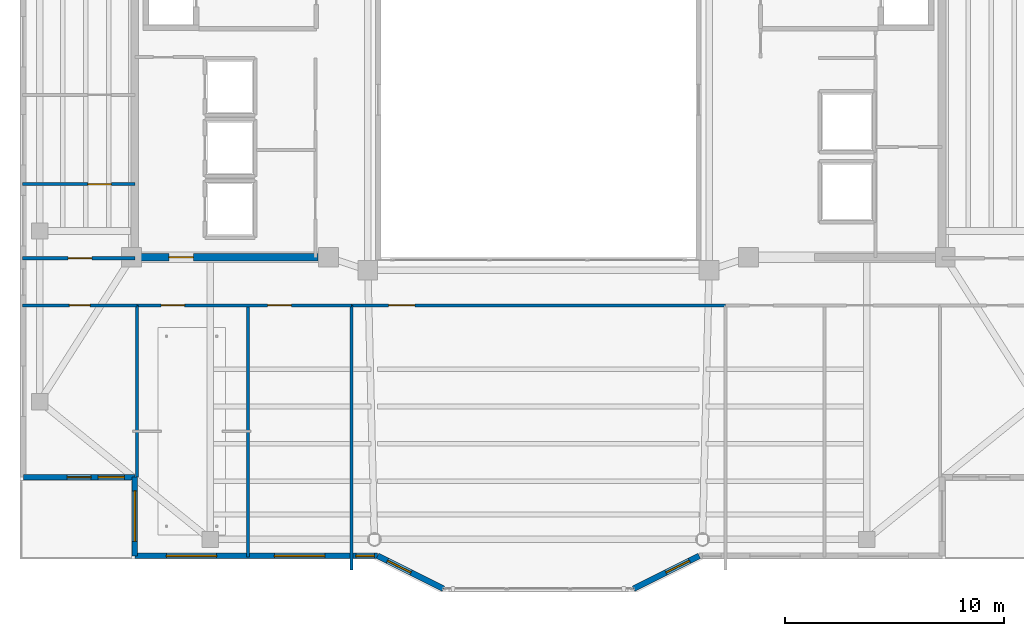
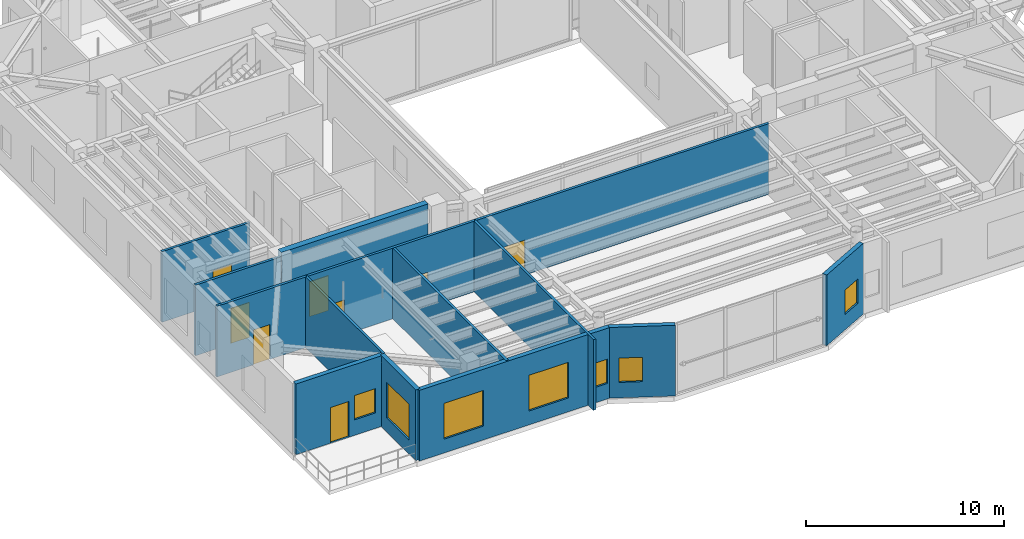
# One storey, part 11 of 23: 14 walls, 8 doors, 7 windows, 15 openings.
"""IFC4 building model written with IfcOpenShell, lengths in metres."""

from ifc_helpers import new_model, si_unit, direction, frame, frame_2d, origin, place, context, subcontext, project, spatial, rectangle, extrude, material, layer, layer_set, type_object, element, fill, save


model = new_model("IFC4")

# Units and contexts
model_context = context("Model", 3, precision=1e-05, world=origin(), true_north=direction((0.0, 1.0)))
body_context = subcontext(model_context, "Body", "Model", "MODEL_VIEW")
ifc_project = project(units=[si_unit("LENGTHUNIT", "METRE"), si_unit("AREAUNIT", "SQUARE_METRE"), si_unit("VOLUMEUNIT", "CUBIC_METRE"), si_unit("PLANEANGLEUNIT", "RADIAN"), si_unit("MASSUNIT", "GRAM", prefix="KILO")], contexts=[model_context])

# Site, building, storey
site_placement = place(None, origin())
site = spatial("IfcSite", under=ifc_project, at=site_placement, CompositionType="ELEMENT")
building_placement = place(site_placement, origin())
building = spatial("IfcBuilding", under=site, at=building_placement, Name="Tarnavaz Court Tower", CompositionType="ELEMENT")
storey_placement = place(building_placement, frame((0.0, 0.0, 227.10009765625)))
storey = spatial("IfcBuildingStorey", under=building, at=storey_placement, Name="L62", CompositionType="ELEMENT", Elevation=227.10009765625)

# Wall, opening, door
ifc_material_1 = material(Name="Concrete C50/60", Category="concrete")
ifc_layer_1 = layer(ifc_material_1, 0.35009765625)
ifc_layer_set_1 = layer_set([ifc_layer_1], Name="Concrete C50/60")
wall_type_1 = type_object("IfcWallType", Name="WL-CORE-350-C50", PredefinedType="SHEAR", material=ifc_layer_set_1)
wall_1_placement = place(storey_placement, frame((-18.625, -7.199951171875, 0.0), z_axis=(0.0, 0.0, 1.0), x_axis=(1.0, 0.0, 0.0)))
wall_1 = element("IfcWall", 1, at=wall_1_placement, inside=storey, type_object=wall_type_1, Name="L62 West Core South Shear Wall 046", PredefinedType="SHEAR", context=body_context, shape_type="SweptSolid", body=[
    extrude(rectangle(XDim=8.550048828125, YDim=0.35009765625, at=frame_2d((4.27490234375, 0.0))), origin(), (0.0, 0.0, 1.0), 4.64990234375),
])
opening_1_placement = place(wall_1_placement, frame((1.72509765625, 0.0, 0.0)))
opening_1 = element("IfcOpeningElement", 2, at=opening_1_placement, cuts=wall_1, Name="Opening D04", PredefinedType="OPENING", context=body_context, shape_type="SweptSolid", body=[
    extrude(rectangle(XDim=1.1201171875, YDim=2.14990234375, at=frame_2d((0.56005859375, 1.074951171875))), frame((0.0, 0.18505859375, 0.0), z_axis=(0.0, -1.0, 0.0), x_axis=(1.0, 0.0, 0.0)), (0.0, 0.0, 1.0), 0.3701171875),
])
ifc_material_2 = material(Name="Fire-Rated Hardwood Timber Core", Category="wood")
door_type_1 = type_object("IfcDoorType", Name="DR-FD60-1100", OperationType="NOTDEFINED", PredefinedType="DOOR", material=ifc_material_2)
door_1_placement = place(opening_1_placement, origin())
door_1 = element("IfcDoor", 3, at=door_1_placement, inside=storey, type_object=door_type_1, Name="L62 West High-Rise Lift Lobby Door", OperationType="SINGLE_SWING_LEFT", OverallHeight=2.14990234375, OverallWidth=1.1201171875, PredefinedType="DOOR", context=body_context, shape_type="SweptSolid", body=[
    extrude(rectangle(XDim=1.1201171875, YDim=2.14990234375, at=frame_2d((0.56005859375, 1.074951171875))), frame((0.0, 0.02490234375, 0.0), z_axis=(0.0, -1.0, 0.0), x_axis=(1.0, 0.0, 0.0)), (0.0, 0.0, 1.0), 0.050048828125),
])
fill(opening_1, door_1)

# Wall, openings, door, window
ifc_material_3 = material(Name="Precast Concrete C40/50", Category="concrete")
ifc_layer_2 = layer(ifc_material_3, 0.260009765625)
ifc_layer_set_2 = layer_set([ifc_layer_2], Name="Precast Concrete C40/50")
wall_type_2 = type_object("IfcWallType", Name="WL-EXT-260", PredefinedType="SOLIDWALL", material=ifc_layer_set_2)
wall_2_placement = place(storey_placement, frame((-18.449951171875, -17.25, 0.0), z_axis=(0.0, 0.0, 1.0), x_axis=(-1.0, 0.0, 0.0)))
wall_2 = element("IfcWall", 4, at=wall_2_placement, inside=storey, type_object=wall_type_2, Name="L62 Exterior Terracotta Facade Wall 01", PredefinedType="SOLIDWALL", context=body_context, shape_type="SweptSolid", body=[
    extrude(rectangle(XDim=5.10009765625, YDim=0.260009765625, at=frame_2d((2.550048828125, 0.0))), origin(), (0.0, 0.0, 1.0), 4.349853515625),
])
opening_2_placement = place(wall_2_placement, frame((2.0, 0.0, 0.0)))
opening_2 = element("IfcOpeningElement", 5, at=opening_2_placement, cuts=wall_2, Name="Opening TD1", PredefinedType="OPENING", context=body_context, shape_type="SweptSolid", body=[
    extrude(rectangle(XDim=1.10009765625, YDim=2.199951171875, at=frame_2d((0.550048828125, 1.10009765625))), frame((0.0, 0.139892578125, 0.0), z_axis=(0.0, -1.0, 0.0), x_axis=(1.0, 0.0, 0.0)), (0.0, 0.0, 1.0), 0.280029296875),
])
opening_3_placement = place(wall_2_placement, frame((0.47998046875, 0.0, 0.949951171875)))
opening_3 = element("IfcOpeningElement", 6, at=opening_3_placement, cuts=wall_2, Name="Opening W05", PredefinedType="OPENING", context=body_context, shape_type="SweptSolid", body=[
    extrude(rectangle(XDim=1.199951171875, YDim=1.5, at=frame_2d((0.60009765625, 0.75))), frame((0.0, 0.139892578125, 0.0), z_axis=(0.0, -1.0, 0.0), x_axis=(1.0, 0.0, 0.0)), (0.0, 0.0, 1.0), 0.280029296875),
])
ifc_material_4 = material(Name="Thermally Broken Aluminium and Laminated Glass", Category="aluminium")
door_type_2 = type_object("IfcDoorType", Name="DR-TERR-1100", OperationType="NOTDEFINED", PredefinedType="DOOR", material=ifc_material_4)
door_2_placement = place(opening_2_placement, origin())
door_2 = element("IfcDoor", 7, at=door_2_placement, inside=storey, type_object=door_type_2, Name="L62 Sky Terrace Access Door 4", OperationType="SINGLE_SWING_RIGHT", OverallHeight=2.199951171875, OverallWidth=1.10009765625, PredefinedType="DOOR", context=body_context, shape_type="SweptSolid", body=[
    extrude(rectangle(XDim=1.10009765625, YDim=2.199951171875, at=frame_2d((0.550048828125, 1.10009765625))), frame((0.0, 0.02490234375, 0.0), z_axis=(0.0, -1.0, 0.0), x_axis=(1.0, 0.0, 0.0)), (0.0, 0.0, 1.0), 0.050048828125),
])
fill(opening_2, door_2)
ifc_material_5 = material(Name="Double-Glazed Solar Low-E Glass", Category="glass")
window_type_1 = type_object("IfcWindowType", Name="WN-APT-1200", PartitioningType="SINGLE_PANEL", PredefinedType="WINDOW", material=ifc_material_5)
window_1_placement = place(opening_3_placement, origin())
window_1 = element("IfcWindow", 8, at=window_1_placement, inside=storey, type_object=window_type_1, Name="L62 L62 SW Terrace Salon Window", OverallHeight=1.5, OverallWidth=1.199951171875, PartitioningType="SINGLE_PANEL", PredefinedType="WINDOW", context=body_context, shape_type="SweptSolid", body=[
    extrude(rectangle(XDim=1.199951171875, YDim=1.5, at=frame_2d((0.60009765625, 0.75))), frame((0.0, 0.030029296875, 0.0), z_axis=(0.0, -1.0, 0.0), x_axis=(1.0, 0.0, 0.0)), (0.0, 0.0, 1.0), 0.06005859375),
])
fill(opening_3, window_1)

# Wall, opening, window
wall_3_placement = place(storey_placement, frame((7.35009765625, -20.85009765625, 0.0), z_axis=(0.0, 0.0, 1.0), x_axis=(-0.894427191, -0.4472135955, 0.0)))
wall_3 = element("IfcWall", 9, at=wall_3_placement, inside=storey, type_object=wall_type_2, Name="L62 Exterior Terracotta Facade Wall 16", PredefinedType="SOLIDWALL", context=body_context, shape_type="SweptSolid", body=[
    extrude(rectangle(XDim=3.35400390625, YDim=0.260009765625, at=frame_2d((1.677001953125, 0.0))), origin(), (0.0, 0.0, 1.0), 4.349853515625),
])
opening_4_placement = place(wall_3_placement, frame((0.501220703125, 0.0, 0.949951171875)))
opening_4 = element("IfcOpeningElement", 10, at=opening_4_placement, cuts=wall_3, Name="Opening W05", PredefinedType="OPENING", context=body_context, shape_type="SweptSolid", body=[
    extrude(rectangle(XDim=1.199951171875, YDim=1.5, at=frame_2d((0.60009765625, 0.75))), frame((0.0, 0.139892578125, 0.0), z_axis=(0.0, -1.0, 0.0), x_axis=(1.0, 0.0, 0.0)), (0.0, 0.0, 1.0), 0.280029296875),
])
window_2_placement = place(opening_4_placement, origin())
window_2 = element("IfcWindow", 11, at=window_2_placement, inside=storey, type_object=window_type_1, Name="L62 L62 Central Iwan Cultural Exhibition Hall Window", OverallHeight=1.5, OverallWidth=1.199951171875, PartitioningType="SINGLE_PANEL", PredefinedType="WINDOW", context=body_context, shape_type="SweptSolid", body=[
    extrude(rectangle(XDim=1.199951171875, YDim=1.5, at=frame_2d((0.60009765625, 0.75))), frame((0.0, 0.030029296875, 0.0), z_axis=(0.0, -1.0, 0.0), x_axis=(1.0, 0.0, 0.0)), (0.0, 0.0, 1.0), 0.06005859375),
])
fill(opening_4, window_2)

wall_4_placement = place(storey_placement, frame((-4.35009765625, -22.35009765625, 0.0), z_axis=(0.0, 0.0, 1.0), x_axis=(-0.894427191, 0.4472135955, 0.0)))
wall_4 = element("IfcWall", 12, at=wall_4_placement, inside=storey, type_object=wall_type_2, Name="L62 Exterior Terracotta Facade Wall 18", PredefinedType="SOLIDWALL", context=body_context, shape_type="SweptSolid", body=[
    extrude(rectangle(XDim=3.35400390625, YDim=0.260009765625, at=frame_2d((1.677001953125, 0.0))), origin(), (0.0, 0.0, 1.0), 4.349853515625),
])
opening_5_placement = place(wall_4_placement, frame((1.65283203125, 0.0, 0.949951171875)))
opening_5 = element("IfcOpeningElement", 13, at=opening_5_placement, cuts=wall_4, Name="Opening W05", PredefinedType="OPENING", context=body_context, shape_type="SweptSolid", body=[
    extrude(rectangle(XDim=1.199951171875, YDim=1.5, at=frame_2d((0.60009765625, 0.75))), frame((0.0, 0.139892578125, 0.0), z_axis=(0.0, -1.0, 0.0), x_axis=(1.0, 0.0, 0.0)), (0.0, 0.0, 1.0), 0.280029296875),
])
window_3_placement = place(opening_5_placement, origin())
window_3 = element("IfcWindow", 14, at=window_3_placement, inside=storey, type_object=window_type_1, Name="L62 L62 Central Iwan Cultural Exhibition Hall Window", OverallHeight=1.5, OverallWidth=1.199951171875, PartitioningType="SINGLE_PANEL", PredefinedType="WINDOW", context=body_context, shape_type="SweptSolid", body=[
    extrude(rectangle(XDim=1.199951171875, YDim=1.5, at=frame_2d((0.60009765625, 0.75))), frame((0.0, 0.030029296875, 0.0), z_axis=(0.0, -1.0, 0.0), x_axis=(1.0, 0.0, 0.0)), (0.0, 0.0, 1.0), 0.06005859375),
])
fill(opening_5, window_3)

# Wall, openings, windows
wall_5_placement = place(storey_placement, frame((-7.35009765625, -20.85009765625, 0.0), z_axis=(0.0, 0.0, 1.0), x_axis=(-1.0, 0.0, 0.0)))
wall_5 = element("IfcWall", 15, at=wall_5_placement, inside=storey, type_object=wall_type_2, Name="L62 Exterior Terracotta Facade Wall 19", PredefinedType="SOLIDWALL", context=body_context, shape_type="SweptSolid", body=[
    extrude(rectangle(XDim=11.099853515625, YDim=0.260009765625, at=frame_2d((5.5498046875, 0.0))), origin(), (0.0, 0.0, 1.0), 4.349853515625),
])
opening_6_placement = place(wall_5_placement, frame((0.1474609375, 0.0, 0.949951171875)))
opening_6 = element("IfcOpeningElement", 16, at=opening_6_placement, cuts=wall_5, Name="Opening W15", PredefinedType="OPENING", context=body_context, shape_type="SweptSolid", body=[
    extrude(rectangle(XDim=0.85009765625, YDim=1.5, at=frame_2d((0.425048828125, 0.75))), frame((0.0, 0.139892578125, 0.0), z_axis=(0.0, -1.0, 0.0), x_axis=(1.0, 0.0, 0.0)), (0.0, 0.0, 1.0), 0.280029296875),
])
opening_7_placement = place(wall_5_placement, frame((2.416015625, 0.0, 0.85009765625)))
opening_7 = element("IfcOpeningElement", 17, at=opening_7_placement, cuts=wall_5, Name="Opening W12", PredefinedType="OPENING", context=body_context, shape_type="SweptSolid", body=[
    extrude(rectangle(XDim=2.300048828125, YDim=2.199951171875, at=frame_2d((1.14990234375, 1.10009765625))), frame((0.0, 0.139892578125, 0.0), z_axis=(0.0, -1.0, 0.0), x_axis=(1.0, 0.0, 0.0)), (0.0, 0.0, 1.0), 0.280029296875),
])
opening_8_placement = place(wall_5_placement, frame((7.36328125, 0.0, 0.85009765625)))
opening_8 = element("IfcOpeningElement", 18, at=opening_8_placement, cuts=wall_5, Name="Opening W12", PredefinedType="OPENING", context=body_context, shape_type="SweptSolid", body=[
    extrude(rectangle(XDim=2.300048828125, YDim=2.199951171875, at=frame_2d((1.14990234375, 1.10009765625))), frame((0.0, 0.139892578125, 0.0), z_axis=(0.0, -1.0, 0.0), x_axis=(1.0, 0.0, 0.0)), (0.0, 0.0, 1.0), 0.280029296875),
])
window_type_2 = type_object("IfcWindowType", Name="WN-APT-850", PartitioningType="SINGLE_PANEL", PredefinedType="WINDOW", material=ifc_material_5)
window_4_placement = place(opening_6_placement, origin())
window_4 = element("IfcWindow", 19, at=window_4_placement, inside=storey, type_object=window_type_2, Name="L62 L62 Central Iwan Cultural Exhibition Hall Window", OverallHeight=1.5, OverallWidth=0.85009765625, PartitioningType="SINGLE_PANEL", PredefinedType="WINDOW", context=body_context, shape_type="SweptSolid", body=[
    extrude(rectangle(XDim=0.85009765625, YDim=1.5, at=frame_2d((0.425048828125, 0.75))), frame((0.0, 0.030029296875, 0.0), z_axis=(0.0, -1.0, 0.0), x_axis=(1.0, 0.0, 0.0)), (0.0, 0.0, 1.0), 0.06005859375),
])
fill(opening_6, window_4)
window_type_3 = type_object("IfcWindowType", Name="WN-COM-2300", PartitioningType="DOUBLE_PANEL_VERTICAL", PredefinedType="WINDOW", material=ifc_material_5)
window_5_placement = place(opening_7_placement, origin())
window_5 = element("IfcWindow", 20, at=window_5_placement, inside=storey, type_object=window_type_3, Name="L62 L62 South-West Study Room Window", OverallHeight=2.199951171875, OverallWidth=2.300048828125, PartitioningType="SINGLE_PANEL", PredefinedType="WINDOW", context=body_context, shape_type="SweptSolid", body=[
    extrude(rectangle(XDim=2.300048828125, YDim=2.199951171875, at=frame_2d((1.14990234375, 1.10009765625))), frame((0.0, 0.030029296875, 0.0), z_axis=(0.0, -1.0, 0.0), x_axis=(1.0, 0.0, 0.0)), (0.0, 0.0, 1.0), 0.06005859375),
])
fill(opening_7, window_5)
window_6_placement = place(opening_8_placement, origin())
window_6 = element("IfcWindow", 21, at=window_6_placement, inside=storey, type_object=window_type_3, Name="L62 Communal Dining Room Window", OverallHeight=2.199951171875, OverallWidth=2.300048828125, PartitioningType="SINGLE_PANEL", PredefinedType="WINDOW", context=body_context, shape_type="SweptSolid", body=[
    extrude(rectangle(XDim=2.300048828125, YDim=2.199951171875, at=frame_2d((1.14990234375, 1.10009765625))), frame((0.0, 0.030029296875, 0.0), z_axis=(0.0, -1.0, 0.0), x_axis=(1.0, 0.0, 0.0)), (0.0, 0.0, 1.0), 0.06005859375),
])
fill(opening_8, window_6)

# Wall, opening, window
wall_6_placement = place(storey_placement, frame((-18.449951171875, -20.85009765625, 0.0), z_axis=(0.0, 0.0, 1.0), x_axis=(0.0, 1.0, 0.0)))
wall_6 = element("IfcWall", 22, at=wall_6_placement, inside=storey, type_object=wall_type_2, Name="L62 Exterior Terracotta Facade Wall 20", PredefinedType="SOLIDWALL", context=body_context, shape_type="SweptSolid", body=[
    extrude(rectangle(XDim=3.60009765625, YDim=0.260009765625, at=frame_2d((1.800048828125, 0.0))), origin(), (0.0, 0.0, 1.0), 4.349853515625),
])
opening_9_placement = place(wall_6_placement, frame((0.66748046875, 0.0, 0.85009765625)))
opening_9 = element("IfcOpeningElement", 23, at=opening_9_placement, cuts=wall_6, Name="Opening W12", PredefinedType="OPENING", context=body_context, shape_type="SweptSolid", body=[
    extrude(rectangle(XDim=2.300048828125, YDim=2.199951171875, at=frame_2d((1.14990234375, 1.10009765625))), frame((0.0, 0.139892578125, 0.0), z_axis=(0.0, -1.0, 0.0), x_axis=(1.0, 0.0, 0.0)), (0.0, 0.0, 1.0), 0.280029296875),
])
window_7_placement = place(opening_9_placement, origin())
window_7 = element("IfcWindow", 24, at=window_7_placement, inside=storey, type_object=window_type_3, Name="L62 Communal Dining Room Window", OverallHeight=2.199951171875, OverallWidth=2.300048828125, PartitioningType="SINGLE_PANEL", PredefinedType="WINDOW", context=body_context, shape_type="SweptSolid", body=[
    extrude(rectangle(XDim=2.300048828125, YDim=2.199951171875, at=frame_2d((1.14990234375, 1.10009765625))), frame((0.0, 0.030029296875, 0.0), z_axis=(0.0, -1.0, 0.0), x_axis=(1.0, 0.0, 0.0)), (0.0, 0.0, 1.0), 0.06005859375),
])
fill(opening_9, window_7)

# Wall, openings, doors
ifc_material_6 = material(Name="Gypsum Fire-Board on Acoustic Metal Stud", Category="masonry")
ifc_layer_3 = layer(ifc_material_6, 0.14990234375)
ifc_layer_set_3 = layer_set([ifc_layer_3], Name="Gypsum Fire-Board on Acoustic Metal Stud")
wall_type_3 = type_object("IfcWallType", Name="WL-FIRE-150", PredefinedType="PARTITIONING", material=ifc_layer_set_3)
wall_7_placement = place(storey_placement, frame((-18.35009765625, -9.39990234375, 0.0), z_axis=(0.0, 0.0, 1.0), x_axis=(1.0, 0.0, 0.0)))
wall_7 = element("IfcWall", 25, at=wall_7_placement, inside=storey, type_object=wall_type_3, Name="L62 SW Lobby Wall 058", PredefinedType="PARTITIONING", context=body_context, shape_type="SweptSolid", body=[
    extrude(rectangle(XDim=9.800048828125, YDim=0.14990234375, at=frame_2d((4.89990234375, 0.0))), origin(), (0.0, 0.0, 1.0), 4.349853515625),
])
opening_10_placement = place(wall_7_placement, frame((1.10009765625, 0.0, 0.0)))
opening_10 = element("IfcOpeningElement", 26, at=opening_10_placement, cuts=wall_7, Name="Opening D12", PredefinedType="OPENING", context=body_context, shape_type="SweptSolid", body=[
    extrude(rectangle(XDim=1.080078125, YDim=2.14990234375, at=frame_2d((0.5400390625, 1.074951171875))), frame((0.0, 0.0849609375, 0.0), z_axis=(0.0, -1.0, 0.0), x_axis=(1.0, 0.0, 0.0)), (0.0, 0.0, 1.0), 0.169921875),
])
opening_11_placement = place(wall_7_placement, frame((5.969970703125, 0.0, 0.0)))
opening_11 = element("IfcOpeningElement", 27, at=opening_11_placement, cuts=wall_7, Name="Opening D12", PredefinedType="OPENING", context=body_context, shape_type="SweptSolid", body=[
    extrude(rectangle(XDim=1.080078125, YDim=2.14990234375, at=frame_2d((0.5400390625, 1.074951171875))), frame((0.0, 0.0849609375, 0.0), z_axis=(0.0, -1.0, 0.0), x_axis=(1.0, 0.0, 0.0)), (0.0, 0.0, 1.0), 0.169921875),
])
ifc_material_7 = material(Name="Engineered Oak Timber", Category="wood")
door_type_3 = type_object("IfcDoorType", Name="DR-INT-1100", OperationType="NOTDEFINED", PredefinedType="DOOR", material=ifc_material_7)
door_3_placement = place(opening_10_placement, origin())
door_3 = element("IfcDoor", 28, at=door_3_placement, inside=storey, type_object=door_type_3, Name="L62 Communal Dining Room Door", OperationType="SINGLE_SWING_RIGHT", OverallHeight=2.14990234375, OverallWidth=1.080078125, PredefinedType="DOOR", context=body_context, shape_type="SweptSolid", body=[
    extrude(rectangle(XDim=1.080078125, YDim=2.14990234375, at=frame_2d((0.5400390625, 1.074951171875))), frame((0.0, 0.02490234375, 0.0), z_axis=(0.0, -1.0, 0.0), x_axis=(1.0, 0.0, 0.0)), (0.0, 0.0, 1.0), 0.050048828125),
])
fill(opening_10, door_3)
door_4_placement = place(opening_11_placement, origin())
door_4 = element("IfcDoor", 29, at=door_4_placement, inside=storey, type_object=door_type_3, Name="L62 SW Study Room Door", OperationType="SINGLE_SWING_LEFT", OverallHeight=2.14990234375, OverallWidth=1.080078125, PredefinedType="DOOR", context=body_context, shape_type="SweptSolid", body=[
    extrude(rectangle(XDim=1.080078125, YDim=2.14990234375, at=frame_2d((0.5400390625, 1.074951171875))), frame((0.0, 0.02490234375, 0.0), z_axis=(0.0, -1.0, 0.0), x_axis=(1.0, 0.0, 0.0)), (0.0, 0.0, 1.0), 0.050048828125),
])
fill(opening_11, door_4)

# Wall, opening, door
wall_8_placement = place(storey_placement, frame((-8.550048828125, -9.39990234375, 0.0), z_axis=(0.0, 0.0, 1.0), x_axis=(1.0, 0.0, 0.0)))
wall_8 = element("IfcWall", 30, at=wall_8_placement, inside=storey, type_object=wall_type_3, Name="L62 Interior Partition 070", PredefinedType="PARTITIONING", context=body_context, shape_type="SweptSolid", body=[
    extrude(rectangle(XDim=17.10009765625, YDim=0.14990234375, at=frame_2d((8.550048828125, 0.0))), origin(), (0.0, 0.0, 1.0), 4.349853515625),
])
opening_12_placement = place(wall_8_placement, frame((1.699951171875, 0.0, 0.0)))
opening_12 = element("IfcOpeningElement", 31, at=opening_12_placement, cuts=wall_8, Name="Opening D11", PredefinedType="OPENING", context=body_context, shape_type="SweptSolid", body=[
    extrude(rectangle(XDim=1.199951171875, YDim=2.14990234375, at=frame_2d((0.60009765625, 1.074951171875))), frame((0.0, 0.0849609375, 0.0), z_axis=(0.0, -1.0, 0.0), x_axis=(1.0, 0.0, 0.0)), (0.0, 0.0, 1.0), 0.169921875),
])
door_type_4 = type_object("IfcDoorType", Name="DR-INT-1200", OperationType="NOTDEFINED", PredefinedType="DOOR", material=ifc_material_7)
door_5_placement = place(opening_12_placement, origin())
door_5 = element("IfcDoor", 32, at=door_5_placement, inside=storey, type_object=door_type_4, Name="L62 Central Iwan Hall Door", OperationType="SINGLE_SWING_RIGHT", OverallHeight=2.14990234375, OverallWidth=1.199951171875, PredefinedType="DOOR", context=body_context, shape_type="SweptSolid", body=[
    extrude(rectangle(XDim=1.199951171875, YDim=2.14990234375, at=frame_2d((0.60009765625, 1.074951171875))), frame((0.0, 0.02490234375, 0.0), z_axis=(0.0, -1.0, 0.0), x_axis=(1.0, 0.0, 0.0)), (0.0, 0.0, 1.0), 0.050048828125),
])
fill(opening_12, door_5)

wall_9_placement = place(storey_placement, frame((-23.580078125, -7.25, 0.0), z_axis=(0.0, 0.0, 1.0), x_axis=(1.0, 0.0, 0.0)))
wall_9 = element("IfcWall", 33, at=wall_9_placement, inside=storey, type_object=wall_type_3, Name="L62 Interior Partition 071", PredefinedType="PARTITIONING", context=body_context, shape_type="SweptSolid", body=[
    extrude(rectangle(XDim=5.130126953125, YDim=0.14990234375, at=frame_2d((2.56494140625, 0.0))), origin(), (0.0, 0.0, 1.0), 4.349853515625),
])
opening_13_placement = place(wall_9_placement, frame((2.080078125, 0.0, 0.0)))
opening_13 = element("IfcOpeningElement", 34, at=opening_13_placement, cuts=wall_9, Name="Opening D12", PredefinedType="OPENING", context=body_context, shape_type="SweptSolid", body=[
    extrude(rectangle(XDim=1.080078125, YDim=2.14990234375, at=frame_2d((0.5400390625, 1.074951171875))), frame((0.0, 0.0849609375, 0.0), z_axis=(0.0, -1.0, 0.0), x_axis=(1.0, 0.0, 0.0)), (0.0, 0.0, 1.0), 0.169921875),
])
door_6_placement = place(opening_13_placement, origin())
door_6 = element("IfcDoor", 35, at=door_6_placement, inside=storey, type_object=door_type_3, Name="L62 West Suite Room 1 Door", OperationType="SINGLE_SWING_LEFT", OverallHeight=2.14990234375, OverallWidth=1.080078125, PredefinedType="DOOR", context=body_context, shape_type="SweptSolid", body=[
    extrude(rectangle(XDim=1.080078125, YDim=2.14990234375, at=frame_2d((0.5400390625, 1.074951171875))), frame((0.0, 0.02490234375, 0.0), z_axis=(0.0, -1.0, 0.0), x_axis=(1.0, 0.0, 0.0)), (0.0, 0.0, 1.0), 0.050048828125),
])
fill(opening_13, door_6)

wall_10_placement = place(storey_placement, frame((-23.580078125, -9.39990234375, 0.0), z_axis=(0.0, 0.0, 1.0), x_axis=(1.0, 0.0, 0.0)))
wall_10 = element("IfcWall", 36, at=wall_10_placement, inside=storey, type_object=wall_type_3, Name="L62 Interior Partition 081", PredefinedType="PARTITIONING", context=body_context, shape_type="SweptSolid", body=[
    extrude(rectangle(XDim=5.22998046875, YDim=0.14990234375, at=frame_2d((2.614990234375, 0.0))), origin(), (0.0, 0.0, 1.0), 4.349853515625),
])
opening_14_placement = place(wall_10_placement, frame((2.139892578125, 0.0, 0.0)))
opening_14 = element("IfcOpeningElement", 37, at=opening_14_placement, cuts=wall_10, Name="Opening D13", PredefinedType="OPENING", context=body_context, shape_type="SweptSolid", body=[
    extrude(rectangle(XDim=0.949951171875, YDim=2.14990234375, at=frame_2d((0.47509765625, 1.074951171875))), frame((0.0, 0.0849609375, 0.0), z_axis=(0.0, -1.0, 0.0), x_axis=(1.0, 0.0, 0.0)), (0.0, 0.0, 1.0), 0.169921875),
])
door_type_5 = type_object("IfcDoorType", Name="DR-INT-950", OperationType="NOTDEFINED", PredefinedType="DOOR", material=ifc_material_7)
door_7_placement = place(opening_14_placement, origin())
door_7 = element("IfcDoor", 38, at=door_7_placement, inside=storey, type_object=door_type_5, Name="L62 SW Terrace Salon Door", OperationType="SINGLE_SWING_LEFT", OverallHeight=2.14990234375, OverallWidth=0.949951171875, PredefinedType="DOOR", context=body_context, shape_type="SweptSolid", body=[
    extrude(rectangle(XDim=0.949951171875, YDim=2.14990234375, at=frame_2d((0.47509765625, 1.074951171875))), frame((0.0, 0.02490234375, 0.0), z_axis=(0.0, -1.0, 0.0), x_axis=(1.0, 0.0, 0.0)), (0.0, 0.0, 1.0), 0.050048828125),
])
fill(opening_14, door_7)

# Walls
ifc_material_8 = material(Name="Gypsum Plasterboard Acoustic Partition", Category="masonry")
ifc_layer_4 = layer(ifc_material_8, 0.139892578125)
ifc_layer_set_4 = layer_set([ifc_layer_4], Name="Gypsum Plasterboard Acoustic Partition")
wall_type_4 = type_object("IfcWallType", Name="WL-PART-150", PredefinedType="PARTITIONING", material=ifc_layer_set_4)
wall_11_placement = place(storey_placement, frame((-13.280029296875, -20.89990234375, 0.0), z_axis=(0.0, 0.0, 1.0), x_axis=(0.0, 1.0, 0.0)))
element("IfcWall", 39, at=wall_11_placement, inside=storey, type_object=wall_type_4, Name="L62 Interior Partition 066", PredefinedType="PARTITIONING", context=body_context, shape_type="SweptSolid", body=[
    extrude(rectangle(XDim=11.5, YDim=0.139892578125, at=frame_2d((5.75, 0.0))), origin(), (0.0, 0.0, 1.0), 4.349853515625),
])
wall_12_placement = place(storey_placement, frame((-8.550048828125, -21.50390625, 0.0), z_axis=(0.0, 0.0, 1.0), x_axis=(0.0, 1.0, 0.0)))
element("IfcWall", 40, at=wall_12_placement, inside=storey, type_object=wall_type_4, Name="L62 Interior Partition 067", PredefinedType="PARTITIONING", context=body_context, shape_type="SweptSolid", body=[
    extrude(rectangle(XDim=12.10400390625, YDim=0.139892578125, at=frame_2d((6.052001953125, 0.0))), origin(), (0.0, 0.0, 1.0), 4.349853515625),
])
wall_13_placement = place(storey_placement, frame((-18.35009765625, -17.25, 0.0), z_axis=(0.0, 0.0, 1.0), x_axis=(0.0, 1.0, 0.0)))
element("IfcWall", 41, at=wall_13_placement, inside=storey, type_object=wall_type_4, Name="L62 Interior Partition 075", PredefinedType="PARTITIONING", context=body_context, shape_type="SweptSolid", body=[
    extrude(rectangle(XDim=7.85009765625, YDim=0.139892578125, at=frame_2d((3.925048828125, 0.0))), origin(), (0.0, 0.0, 1.0), 4.349853515625),
])

# Wall, opening, door
wall_14_placement = place(storey_placement, frame((-23.580078125, -3.860107421875, 0.0), z_axis=(0.0, 0.0, 1.0), x_axis=(1.0, 0.0, 0.0)))
wall_14 = element("IfcWall", 42, at=wall_14_placement, inside=storey, type_object=wall_type_4, Name="L62 Interior Partition 083", PredefinedType="PARTITIONING", context=body_context, shape_type="SweptSolid", body=[
    extrude(rectangle(XDim=5.130126953125, YDim=0.139892578125, at=frame_2d((2.56494140625, 0.0))), origin(), (0.0, 0.0, 1.0), 4.349853515625),
])
opening_15_placement = place(wall_14_placement, frame((2.97998046875, 0.0, 0.0)))
opening_15 = element("IfcOpeningElement", 43, at=opening_15_placement, cuts=wall_14, Name="Opening D12", PredefinedType="OPENING", context=body_context, shape_type="SweptSolid", body=[
    extrude(rectangle(XDim=1.080078125, YDim=2.14990234375, at=frame_2d((0.5400390625, 1.074951171875))), frame((0.0, 0.079833984375, 0.0), z_axis=(0.0, -1.0, 0.0), x_axis=(1.0, 0.0, 0.0)), (0.0, 0.0, 1.0), 0.159912109375),
])
door_8_placement = place(opening_15_placement, origin())
door_8 = element("IfcDoor", 44, at=door_8_placement, inside=storey, type_object=door_type_3, Name="L62 West Suite Room 2 Door", OperationType="SINGLE_SWING_RIGHT", OverallHeight=2.14990234375, OverallWidth=1.080078125, PredefinedType="DOOR", context=body_context, shape_type="SweptSolid", body=[
    extrude(rectangle(XDim=1.080078125, YDim=2.14990234375, at=frame_2d((0.5400390625, 1.074951171875))), frame((0.0, 0.02490234375, 0.0), z_axis=(0.0, -1.0, 0.0), x_axis=(1.0, 0.0, 0.0)), (0.0, 0.0, 1.0), 0.050048828125),
])
fill(opening_15, door_8)

save(model, "model.ifc")
